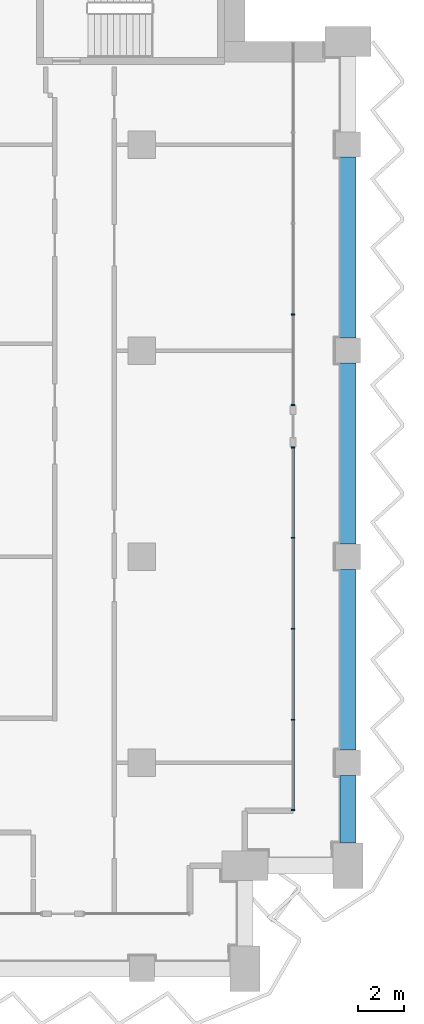
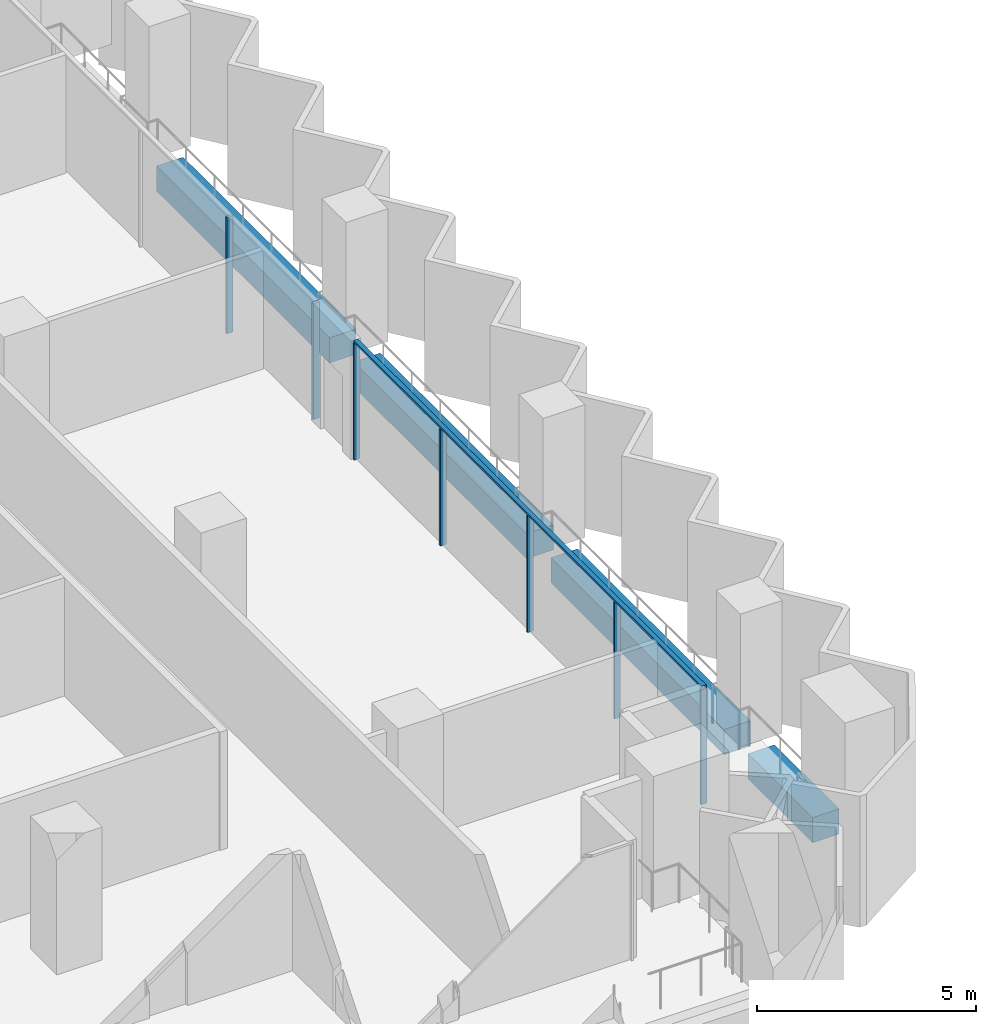
# One storey, part 5 of 23: 8 members, 4 beams, 2 elements without a shape of their own.
"""IFC4 building model written with IfcOpenShell, lengths in metres."""

from ifc_helpers import new_model, si_unit, direction, frame, origin, origin_2d, place, context, subcontext, project, spatial, rectangle, extrude, material, material_profile, profile_set, type_object, element, aggregate, save


model = new_model("IFC4")

# Units and contexts
model_context = context("Model", 3, precision=1e-05, world=origin(), true_north=direction((0.0, 1.0)))
body_context = subcontext(model_context, "Body", "Model", "MODEL_VIEW")
ifc_project = project(units=[si_unit("LENGTHUNIT", "METRE"), si_unit("AREAUNIT", "SQUARE_METRE"), si_unit("VOLUMEUNIT", "CUBIC_METRE"), si_unit("PLANEANGLEUNIT", "RADIAN"), si_unit("MASSUNIT", "GRAM", prefix="KILO")], contexts=[model_context])

# Site, building, storey
site_placement = place(None, origin())
site = spatial("IfcSite", under=ifc_project, at=site_placement, CompositionType="ELEMENT")
building_placement = place(site_placement, origin())
building = spatial("IfcBuilding", under=site, at=building_placement, Name="Hunhe Ridgeline Campus", CompositionType="ELEMENT")
storey_placement = place(building_placement, frame((0.0, 0.0, 144.89990234375)))
storey = spatial("IfcBuildingStorey", under=building, at=storey_placement, Name="L36", CompositionType="ELEMENT", Elevation=144.89990234375)

# Curtain wall, members
ifc_material_1 = material(Name="Aluminium 6063", Category="aluminium")
curtain_wall_type = type_object("IfcCurtainWallType", Name="Curtain wall CW-1", PredefinedType="NOTDEFINED", material=ifc_material_1)
curtain_wall_1_placement = place(storey_placement, origin())
curtain_wall_1 = element("IfcCurtainWall", 1, at=curtain_wall_1_placement, inside=storey, type_object=curtain_wall_type, Name="Curtain wall 14", PredefinedType="NOTDEFINED")
ifc_material_profile_1 = material_profile(ifc_material_1, rectangle(XDim=0.159912109375, YDim=0.06005859375, at=origin_2d()))
ifc_profile_set_1 = profile_set([ifc_material_profile_1], Name="Aluminium 6063")
member_type_1 = type_object("IfcMemberType", Name="CW-1 aluminium mullion", PredefinedType="MULLION", material=ifc_profile_set_1)
member_1_placement = place(storey_placement, frame((60.59912109375, 60.930908203125, 0.0), z_axis=(0.0, 0.0, 1.0), x_axis=(-1.0, 0.0, 0.0)))
member_1 = element("IfcMember", 2, at=member_1_placement, type_object=member_type_1, Name="CW-1 mullion 1", PredefinedType="MULLION", context=body_context, shape_type="SweptSolid", body=[
    extrude(rectangle(XDim=0.159912109375, YDim=0.06005859375, at=origin_2d()), origin(), (0.0, 0.0, 1.0), 3.239990234375),
])
member_2_placement = place(storey_placement, frame((60.59912109375, 64.8759765625, 0.0), z_axis=(0.0, 0.0, 1.0), x_axis=(-1.0, 0.0, 0.0)))
member_2 = element("IfcMember", 3, at=member_2_placement, type_object=member_type_1, Name="CW-1 mullion 2", PredefinedType="MULLION", context=body_context, shape_type="SweptSolid", body=[
    extrude(rectangle(XDim=0.159912109375, YDim=0.06005859375, at=origin_2d()), origin(), (0.0, 0.0, 1.0), 3.239990234375),
])
member_3_placement = place(storey_placement, frame((60.59912109375, 68.850830078125, 0.0), z_axis=(0.0, 0.0, 1.0), x_axis=(-1.0, 0.0, 0.0)))
member_3 = element("IfcMember", 4, at=member_3_placement, type_object=member_type_1, Name="CW-1 mullion 3", PredefinedType="MULLION", context=body_context, shape_type="SweptSolid", body=[
    extrude(rectangle(XDim=0.159912109375, YDim=0.06005859375, at=origin_2d()), origin(), (0.0, 0.0, 1.0), 3.239990234375),
])
member_4_placement = place(storey_placement, frame((60.59912109375, 72.82568359375, 0.0), z_axis=(0.0, 0.0, 1.0), x_axis=(-1.0, 0.0, 0.0)))
member_4 = element("IfcMember", 5, at=member_4_placement, type_object=member_type_1, Name="CW-1 mullion 4", PredefinedType="MULLION", context=body_context, shape_type="SweptSolid", body=[
    extrude(rectangle(XDim=0.159912109375, YDim=0.06005859375, at=origin_2d()), origin(), (0.0, 0.0, 1.0), 3.239990234375),
])
member_5_placement = place(storey_placement, frame((60.59912109375, 76.7705078125, 0.0), z_axis=(0.0, 0.0, 1.0), x_axis=(-1.0, 0.0, 0.0)))
member_5 = element("IfcMember", 6, at=member_5_placement, type_object=member_type_1, Name="CW-1 mullion 5", PredefinedType="MULLION", context=body_context, shape_type="SweptSolid", body=[
    extrude(rectangle(XDim=0.159912109375, YDim=0.06005859375, at=origin_2d()), origin(), (0.0, 0.0, 1.0), 3.239990234375),
])

curtain_wall_2_placement = place(storey_placement, origin())
curtain_wall_2 = element("IfcCurtainWall", 7, at=curtain_wall_2_placement, inside=storey, type_object=curtain_wall_type, Name="Curtain wall 15", PredefinedType="NOTDEFINED")
member_6_placement = place(storey_placement, frame((60.59912109375, 78.630615234375, 0.0), z_axis=(0.0, 0.0, 1.0), x_axis=(-1.0, 0.0, 0.0)))
member_6 = element("IfcMember", 8, at=member_6_placement, type_object=member_type_1, Name="CW-1 mullion 1", PredefinedType="MULLION", context=body_context, shape_type="SweptSolid", body=[
    extrude(rectangle(XDim=0.159912109375, YDim=0.06005859375, at=origin_2d()), origin(), (0.0, 0.0, 1.0), 3.239990234375),
])
member_7_placement = place(storey_placement, frame((60.59912109375, 82.575439453125, 0.0), z_axis=(0.0, 0.0, 1.0), x_axis=(-1.0, 0.0, 0.0)))
member_7 = element("IfcMember", 9, at=member_7_placement, type_object=member_type_1, Name="CW-1 mullion 2", PredefinedType="MULLION", context=body_context, shape_type="SweptSolid", body=[
    extrude(rectangle(XDim=0.159912109375, YDim=0.06005859375, at=origin_2d()), origin(), (0.0, 0.0, 1.0), 3.239990234375),
])
aggregate(curtain_wall_2, [member_6, member_7])

# Member
ifc_material_profile_2 = material_profile(ifc_material_1, rectangle(XDim=0.1201171875, YDim=0.06005859375, at=origin_2d()))
ifc_profile_set_2 = profile_set([ifc_material_profile_2], Name="Aluminium 6063")
member_type_2 = type_object("IfcMemberType", Name="CW-1 aluminium transom", PredefinedType="USERDEFINED", material=ifc_profile_set_2)
member_8_placement = place(storey_placement, frame((60.59912109375, 60.90087890625, 3.27001953125), z_axis=(0.0, 1.0, 0.0), x_axis=(-1.0, 0.0, 0.0)))
member_8 = element("IfcMember", 10, at=member_8_placement, type_object=member_type_2, Name="CW-1 transom 1", ObjectType="TRANSOM", PredefinedType="USERDEFINED", context=body_context, shape_type="SweptSolid", body=[
    extrude(rectangle(XDim=0.1201171875, YDim=0.06005859375, at=origin_2d()), origin(), (0.0, 0.0, 1.0), 15.899658203125),
])

aggregate(curtain_wall_1, [member_8, member_1, member_2, member_3, member_4, member_5])

# Beams
ifc_material_2 = material(Name="Concrete C60", Category="concrete")
ifc_material_profile_3 = material_profile(ifc_material_2, rectangle(XDim=0.699951171875, YDim=0.699951171875, at=origin_2d()))
ifc_profile_set_3 = profile_set([ifc_material_profile_3], Name="Concrete C60")
beam_type = type_object("IfcBeamType", Name="RC spandrel beam 700x700 Concrete C60", PredefinedType="SPANDREL", material=ifc_profile_set_3)
beam_placement = place(storey_placement, frame((63.0, 59.5, -0.599853515625), z_axis=(0.0, 1.0, 0.0), x_axis=(-1.0, 0.0, 0.0)))
element("IfcBeam", 11, at=beam_placement, inside=storey, type_object=beam_type, Name="Spandrel beam B2-16 L36", PredefinedType="SPANDREL", context=body_context, shape_type="SweptSolid", body=[
    extrude(rectangle(XDim=0.699951171875, YDim=0.699951171875, at=origin_2d()), origin(), (0.0, 0.0, 1.0), 2.949951171875),
])
for number, where, z_axis, x_axis, name in (
    (12, (63.0, 63.550048828125, -0.599853515625), (0.0, 1.0, 0.0), (-1.0, 0.0, 0.0), "Spandrel beam B2-17 L36"),
    (13, (63.0, 72.550048828125, -0.599853515625), (0.0, 1.0, 0.0), (-1.0, 0.0, 0.0), "Spandrel beam B2-18 L36"),
    (14, (63.0, 81.550048828125, -0.599853515625), (0.0, 1.0, 0.0), (-1.0, 0.0, 0.0), "Spandrel beam B2-19 L36"),
):
    element("IfcBeam", number, at=place(storey_placement, frame(where, z_axis=z_axis, x_axis=x_axis)), inside=storey, type_object=beam_type, Name=name, PredefinedType="SPANDREL", context=body_context, shape_type="SweptSolid", body=[
        extrude(rectangle(XDim=0.699951171875, YDim=0.699951171875, at=origin_2d()), origin(), (0.0, 0.0, 1.0), 7.89990234375),
    ])

save(model, "model.ifc")
